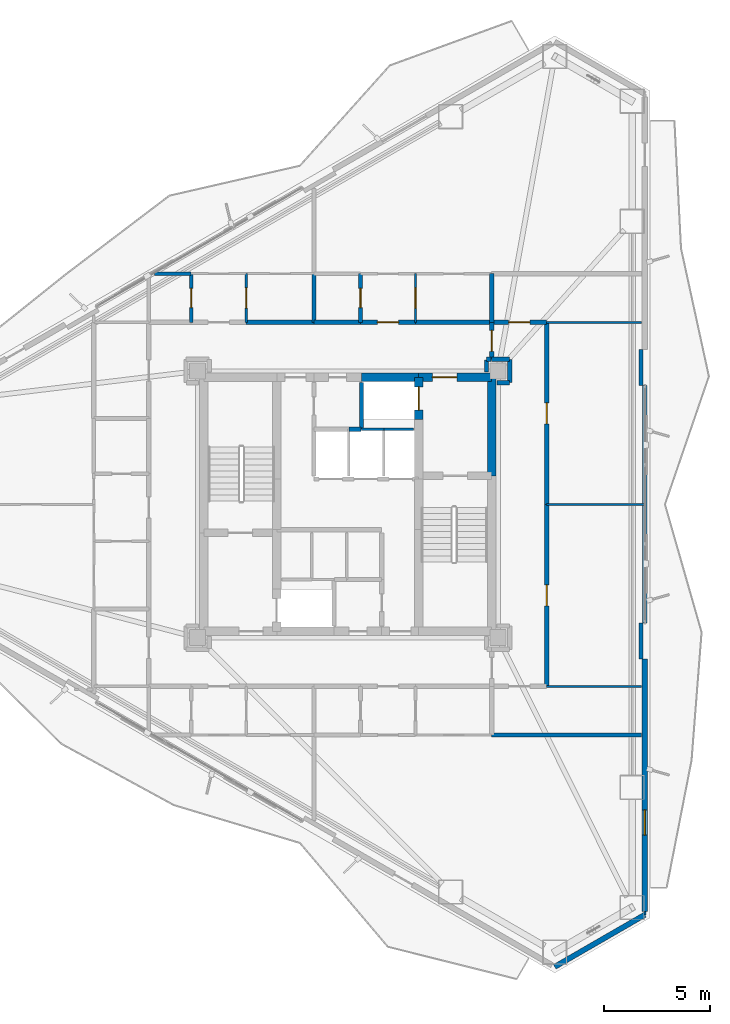
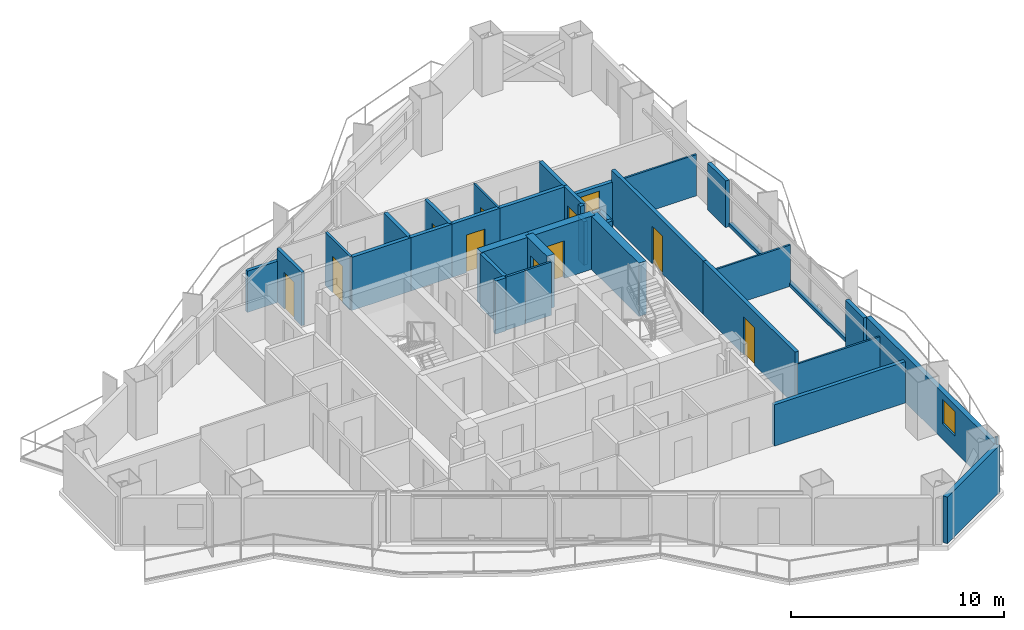
# One storey, part 19 of 23: 38 walls, 11 doors, 1 window, 12 openings.
"""IFC4 building model written with IfcOpenShell, lengths in metres."""

from ifc_helpers import new_model, si_unit, direction, frame, frame_2d, origin, place, context, subcontext, project, spatial, rectangle, extrude, material, layer, layer_set, type_object, element, fill, save


model = new_model("IFC4")

# Units and contexts
model_context = context("Model", 3, precision=1e-05, world=origin(), true_north=direction((0.0, 1.0)))
body_context = subcontext(model_context, "Body", "Model", "MODEL_VIEW")
ifc_project = project(units=[si_unit("LENGTHUNIT", "METRE"), si_unit("AREAUNIT", "SQUARE_METRE"), si_unit("VOLUMEUNIT", "CUBIC_METRE"), si_unit("PLANEANGLEUNIT", "RADIAN"), si_unit("MASSUNIT", "GRAM", prefix="KILO")], contexts=[model_context])

# Site, building, storey
site_placement = place(None, origin())
site = spatial("IfcSite", under=ifc_project, at=site_placement, CompositionType="ELEMENT")
building_placement = place(site_placement, origin())
building = spatial("IfcBuilding", under=site, at=building_placement, Name="Mersakhor Tower and Convention Hall", CompositionType="ELEMENT")
storey_placement = place(building_placement, frame((0.0, 0.0, 96.60009765625)))
storey = spatial("IfcBuildingStorey", under=building, at=storey_placement, Name="L26", CompositionType="ELEMENT", Elevation=96.60009765625)

# Wall
ifc_material_1 = material(Name="Precast concrete C40/50", Category="concrete")
ifc_layer_1 = layer(ifc_material_1, 0.25)
ifc_layer_set_1 = layer_set([ifc_layer_1], Name="Precast concrete C40/50")
wall_type_1 = type_object("IfcWallType", Name="WL-EXT-250", PredefinedType="SOLIDWALL", material=ifc_layer_set_1)
wall_1_placement = place(storey_placement, frame((43.03466796875, 7.355712890625, 0.0), z_axis=(0.0, 0.0, 1.0), x_axis=(-0.866011848704, -0.500023477353, 0.0)))
element("IfcWall", 1, at=wall_1_placement, inside=storey, type_object=wall_type_1, Name="L26 Chamfer Braced Spandrel Wall C2", PredefinedType="SOLIDWALL", context=body_context, shape_type="SweptSolid", body=[
    extrude(rectangle(XDim=4.914306640625, YDim=0.25, at=frame_2d((2.45703125, 0.0))), origin(), (0.0, 0.0, 1.0), 2.669921875),
])

# Wall, opening, window
wall_2_placement = place(storey_placement, frame((43.03466796875, 19.435302734375, 0.0), z_axis=(0.0, 0.0, 1.0), x_axis=(0.0, -1.0, 0.0)))
wall_2 = element("IfcWall", 2, at=wall_2_placement, inside=storey, type_object=wall_type_1, Name="L26 Exterior Facade Wall F2-B3", PredefinedType="SOLIDWALL", context=body_context, shape_type="SweptSolid", body=[
    extrude(rectangle(XDim=11.9296875, YDim=0.25, at=frame_2d((5.96484375, 0.0))), origin(), (0.0, 0.0, 1.0), 2.669921875),
])
opening_1_placement = place(wall_2_placement, frame((7.118896484375, 0.0, 0.89990234375)))
opening_1 = element("IfcOpeningElement", 3, at=opening_1_placement, cuts=wall_2, Name="Opening W-01", PredefinedType="OPENING", context=body_context, shape_type="SweptSolid", body=[
    extrude(rectangle(XDim=1.199951171875, YDim=1.39990234375, at=frame_2d((0.60009765625, 0.699951171875))), frame((0.0, 0.135009765625, 0.0), z_axis=(0.0, -1.0, 0.0), x_axis=(1.0, 0.0, 0.0)), (0.0, 0.0, 1.0), 0.27001953125),
])
ifc_material_2 = material(Name="Dark solar low-E glazed aluminium window", Category="aluminium")
window_type = type_object("IfcWindowType", Name="WN-RES-120x150", PartitioningType="SINGLE_PANEL", PredefinedType="WINDOW", material=ifc_material_2)
window_placement = place(opening_1_placement, origin())
window = element("IfcWindow", 4, at=window_placement, inside=storey, type_object=window_type, Name="L26 Bedroom Facade Window F2-B3-1", OverallHeight=1.39990234375, OverallWidth=1.199951171875, PartitioningType="SINGLE_PANEL", PredefinedType="WINDOW", context=body_context, shape_type="SweptSolid", body=[
    extrude(rectangle(XDim=1.199951171875, YDim=1.39990234375, at=frame_2d((0.60009765625, 0.699951171875))), frame((0.0, 0.030029296875, 0.0), z_axis=(0.0, -1.0, 0.0), x_axis=(1.0, 0.0, 0.0)), (0.0, 0.0, 1.0), 0.06005859375),
])
fill(opening_1, window)

# Walls
ifc_material_3 = material(Name="Precast concrete C40/50", Category="concrete")
ifc_layer_2 = layer(ifc_material_3, 0.199951171875)
ifc_layer_set_2 = layer_set([ifc_layer_2], Name="Precast concrete C40/50")
wall_type_2 = type_object("IfcWallType", Name="WL-PAR-200", PredefinedType="PARAPET", material=ifc_layer_set_2)
wall_3_placement = place(storey_placement, frame((43.03466796875, 32.36474609375, 0.0), z_axis=(0.0, 0.0, 1.0), x_axis=(0.0, -1.0, 0.0)))
element("IfcWall", 5, at=wall_3_placement, inside=storey, type_object=wall_type_2, Name="L26 Curtain Wall Upstand Sill F2-B2", PredefinedType="PARAPET", context=body_context, shape_type="SweptSolid", body=[
    extrude(rectangle(XDim=11.2294921875, YDim=0.199951171875, at=frame_2d((5.61474609375, 0.0))), origin(), (0.0, 0.0, 1.0), 0.199951171875),
])
for number, where, z_axis, x_axis, name in (
    (6, (42.8544921875, 34.064697265625, 0.0), (0.0, 0.0, 1.0), (0.0, -1.0, 0.0), "L26 Column Pier Cladding Wall F2-C1"),
    (7, (42.8544921875, 21.13525390625, 0.0), (0.0, 0.0, 1.0), (0.0, -1.0, 0.0), "L26 Column Pier Cladding Wall F2-C2"),
):
    element("IfcWall", number, at=place(storey_placement, frame(where, z_axis=z_axis, x_axis=x_axis)), inside=storey, type_object=wall_type_2, Name=name, PredefinedType="PARAPET", context=body_context, shape_type="SweptSolid", body=[
        extrude(rectangle(XDim=1.699951171875, YDim=0.199951171875, at=frame_2d((0.85009765625, 0.0))), origin(), (0.0, 0.0, 1.0), 2.669921875),
    ])

# Wall, opening, door
ifc_material_4 = material(Name="Moisture-resistant acoustic drywall studwork", Category="other")
ifc_layer_3 = layer(ifc_material_4, 0.175048828125)
ifc_layer_set_3 = layer_set([ifc_layer_3], Name="Moisture-resistant acoustic drywall studwork")
wall_type_3 = type_object("IfcWallType", Name="WL-PLM-175", PredefinedType="PLUMBINGWALL", material=ifc_layer_set_3)
wall_4_placement = place(storey_placement, frame((21.60009765625, 35.35009765625, 0.0), z_axis=(0.0, 0.0, 1.0), x_axis=(0.0, 1.0, 0.0)))
wall_4 = element("IfcWall", 8, at=wall_4_placement, inside=storey, type_object=wall_type_3, Name="L26 Interior Partition Wall P-062", PredefinedType="PLUMBINGWALL", context=body_context, shape_type="SweptSolid", body=[
    extrude(rectangle(XDim=2.2998046875, YDim=0.175048828125, at=frame_2d((1.14990234375, 0.0))), origin(), (0.0, 0.0, 1.0), 3.0498046875),
])
opening_2_placement = place(wall_4_placement, frame((0.699951171875, 0.0, 0.0)))
opening_2 = element("IfcOpeningElement", 9, at=opening_2_placement, cuts=wall_4, Name="Opening WD-01", PredefinedType="OPENING", context=body_context, shape_type="SweptSolid", body=[
    extrude(rectangle(XDim=0.89990234375, YDim=2.10009765625, at=frame_2d((0.449951171875, 1.050048828125))), frame((0.0, 0.097412109375, 0.0), z_axis=(0.0, -1.0, 0.0), x_axis=(1.0, 0.0, 0.0)), (0.0, 0.0, 1.0), 0.195068359375),
])
ifc_material_5 = material(Name="Solid-core hardwood leaf in painted steel frame", Category="steel")
door_type_1 = type_object("IfcDoorType", Name="DR-INT-WET-090x210", OperationType="NOTDEFINED", PredefinedType="DOOR", material=ifc_material_5)
door_1_placement = place(opening_2_placement, origin())
door_1 = element("IfcDoor", 10, at=door_1_placement, inside=storey, type_object=door_type_1, Name="L26 L26 Flat N1 Apartment Hall to L26 Flat N1 Bathroom Door", OperationType="SINGLE_SWING_RIGHT", OverallHeight=2.10009765625, OverallWidth=0.89990234375, PredefinedType="DOOR", context=body_context, shape_type="SweptSolid", body=[
    extrude(rectangle(XDim=0.89990234375, YDim=2.10009765625, at=frame_2d((0.449951171875, 1.050048828125))), frame((0.0, 0.02490234375, 0.0), z_axis=(0.0, -1.0, 0.0), x_axis=(1.0, 0.0, 0.0)), (0.0, 0.0, 1.0), 0.050048828125),
])
fill(opening_2, door_1)

wall_5_placement = place(storey_placement, frame((29.60009765625, 35.35009765625, 0.0), z_axis=(0.0, 0.0, 1.0), x_axis=(0.0, 1.0, 0.0)))
wall_5 = element("IfcWall", 11, at=wall_5_placement, inside=storey, type_object=wall_type_3, Name="L26 Interior Partition Wall P-065", PredefinedType="PLUMBINGWALL", context=body_context, shape_type="SweptSolid", body=[
    extrude(rectangle(XDim=2.2998046875, YDim=0.175048828125, at=frame_2d((1.14990234375, 0.0))), origin(), (0.0, 0.0, 1.0), 3.0498046875),
])
opening_3_placement = place(wall_5_placement, frame((0.699951171875, 0.0, 0.0)))
opening_3 = element("IfcOpeningElement", 12, at=opening_3_placement, cuts=wall_5, Name="Opening WD-01", PredefinedType="OPENING", context=body_context, shape_type="SweptSolid", body=[
    extrude(rectangle(XDim=0.89990234375, YDim=2.10009765625, at=frame_2d((0.449951171875, 1.050048828125))), frame((0.0, 0.097412109375, 0.0), z_axis=(0.0, -1.0, 0.0), x_axis=(1.0, 0.0, 0.0)), (0.0, 0.0, 1.0), 0.195068359375),
])
door_2_placement = place(opening_3_placement, origin())
door_2 = element("IfcDoor", 13, at=door_2_placement, inside=storey, type_object=door_type_1, Name="L26 L26 Flat N2 Apartment Hall to L26 Flat N2 Bathroom Door", OperationType="SINGLE_SWING_LEFT", OverallHeight=2.10009765625, OverallWidth=0.89990234375, PredefinedType="DOOR", context=body_context, shape_type="SweptSolid", body=[
    extrude(rectangle(XDim=0.89990234375, YDim=2.10009765625, at=frame_2d((0.449951171875, 1.050048828125))), frame((0.0, 0.02490234375, 0.0), z_axis=(0.0, -1.0, 0.0), x_axis=(1.0, 0.0, 0.0)), (0.0, 0.0, 1.0), 0.050048828125),
])
fill(opening_3, door_2)

# Walls
wall_6_placement = place(storey_placement, frame((19.87548828125, 37.64990234375, 0.0), z_axis=(0.0, 0.0, 1.0), x_axis=(1.0, 0.0, 0.0)))
element("IfcWall", 14, at=wall_6_placement, inside=storey, type_object=wall_type_3, Name="L26 Interior Partition Wall P-077", PredefinedType="PLUMBINGWALL", context=body_context, shape_type="SweptSolid", body=[
    extrude(rectangle(XDim=1.724609375, YDim=0.175048828125, at=frame_2d((0.8623046875, 0.0))), origin(), (0.0, 0.0, 1.0), 2.364990234375),
])
ifc_material_6 = material(Name="Lightweight gypsum partition", Category="other")
ifc_layer_4 = layer(ifc_material_6, 0.10009765625)
ifc_layer_set_4 = layer_set([ifc_layer_4], Name="Lightweight gypsum partition")
wall_type_4 = type_object("IfcWallType", Name="WL-PRT-100", PredefinedType="PARTITIONING", material=ifc_layer_set_4)
wall_7_placement = place(storey_placement, frame((32.10009765625, 30.300048828125, 0.0), z_axis=(0.0, 0.0, 1.0), x_axis=(-1.0, 0.0, 0.0)))
element("IfcWall", 15, at=wall_7_placement, inside=storey, type_object=wall_type_4, Name="L26 Interior Partition Wall P-004", PredefinedType="PARTITIONING", context=body_context, shape_type="SweptSolid", body=[
    extrude(rectangle(XDim=1.400146484375, YDim=0.10009765625, at=frame_2d((0.7001953125, 0.0))), origin(), (0.0, 0.0, 1.0), 3.0498046875),
])

# Wall, opening, door
wall_8_placement = place(storey_placement, frame((32.199951171875, 37.64990234375, 0.0), z_axis=(0.0, 0.0, 1.0), x_axis=(0.0, -1.0, 0.0)))
wall_8 = element("IfcWall", 16, at=wall_8_placement, inside=storey, type_object=wall_type_4, Name="L26 Interior Partition Wall P-064", PredefinedType="PARTITIONING", context=body_context, shape_type="SweptSolid", body=[
    extrude(rectangle(XDim=2.2998046875, YDim=0.10009765625, at=frame_2d((1.14990234375, 0.0))), origin(), (0.0, 0.0, 1.0), 3.0498046875),
])
opening_4_placement = place(wall_8_placement, frame((0.675048828125, 0.0, 0.0)))
opening_4 = element("IfcOpeningElement", 17, at=opening_4_placement, cuts=wall_8, Name="Opening RD-01", PredefinedType="OPENING", context=body_context, shape_type="SweptSolid", body=[
    extrude(rectangle(XDim=0.949951171875, YDim=2.10009765625, at=frame_2d((0.47509765625, 1.050048828125))), frame((0.0, 0.06005859375, 0.0), z_axis=(0.0, -1.0, 0.0), x_axis=(1.0, 0.0, 0.0)), (0.0, 0.0, 1.0), 0.1201171875),
])
ifc_material_7 = material(Name="Solid-core hardwood leaf in painted steel frame", Category="steel")
door_type_2 = type_object("IfcDoorType", Name="DR-INT-RM-095x210", OperationType="NOTDEFINED", PredefinedType="DOOR", material=ifc_material_7)
door_3_placement = place(opening_4_placement, origin())
door_3 = element("IfcDoor", 18, at=door_3_placement, inside=storey, type_object=door_type_2, Name="L26 L26 Flat N2 Apartment Hall to L26 Flat N2 Kitchen Door", OperationType="SINGLE_SWING_RIGHT", OverallHeight=2.10009765625, OverallWidth=0.949951171875, PredefinedType="DOOR", context=body_context, shape_type="SweptSolid", body=[
    extrude(rectangle(XDim=0.949951171875, YDim=2.10009765625, at=frame_2d((0.47509765625, 1.050048828125))), frame((0.0, 0.02490234375, 0.0), z_axis=(0.0, -1.0, 0.0), x_axis=(1.0, 0.0, 0.0)), (0.0, 0.0, 1.0), 0.050048828125),
])
fill(opening_4, door_3)

# Walls
for number, where, z_axis, x_axis, name in (
    (19, (42.885498046875, 35.35009765625, 0.0), (0.0, 0.0, 1.0), (-1.0, 0.0, 0.0), "L26 Interior Partition Wall P-094"),
    (20, (38.39990234375, 18.14990234375, 0.0), (0.0, 0.0, 1.0), (1.0, 0.0, 0.0), "L26 Interior Partition Wall P-096"),
):
    element("IfcWall", number, at=place(storey_placement, frame(where, z_axis=z_axis, x_axis=x_axis)), inside=storey, type_object=wall_type_4, Name=name, PredefinedType="PARTITIONING", context=body_context, shape_type="SweptSolid", body=[
        extrude(rectangle(XDim=4.485595703125, YDim=0.10009765625, at=frame_2d((2.24267578125, 0.0))), origin(), (0.0, 0.0, 1.0), 2.364990234375),
    ])
wall_9_placement = place(storey_placement, frame((42.99853515625, 26.75, 0.0), z_axis=(0.0, 0.0, 1.0), x_axis=(-1.0, 0.0, 0.0)))
element("IfcWall", 21, at=wall_9_placement, inside=storey, type_object=wall_type_4, Name="L26 Interior Partition Wall P-102", PredefinedType="PARTITIONING", context=body_context, shape_type="SweptSolid", body=[
    extrude(rectangle(XDim=4.5986328125, YDim=0.10009765625, at=frame_2d((2.29931640625, 0.0))), origin(), (0.0, 0.0, 1.0), 2.364990234375),
])
wall_10_placement = place(storey_placement, frame((43.034912109375, 7.505615234375, 0.0), z_axis=(0.0, 0.0, 1.0), x_axis=(0.0, -1.0, 0.0)))
element("IfcWall", 22, at=wall_10_placement, inside=storey, type_object=wall_type_4, Name="L26 Interior Partition Wall P-106", PredefinedType="PARTITIONING", context=body_context, shape_type="SweptSolid", body=[
    extrude(rectangle(XDim=0.149658203125, YDim=0.10009765625, at=frame_2d((0.07470703125, 0.0))), origin(), (0.0, 0.0, 1.0), 3.0498046875),
])
ifc_material_8 = material(Name="Gypsum board acoustic partition", Category="other")
ifc_layer_5 = layer(ifc_material_8, 0.125)
ifc_layer_set_5 = layer_set([ifc_layer_5], Name="Gypsum board acoustic partition")
wall_type_5 = type_object("IfcWallType", Name="WL-PRT-125", PredefinedType="PARTITIONING", material=ifc_layer_set_5)
wall_11_placement = place(storey_placement, frame((30.699951171875, 30.300048828125, 0.0), z_axis=(0.0, 0.0, 1.0), x_axis=(-1.0, 0.0, 0.0)))
element("IfcWall", 23, at=wall_11_placement, inside=storey, type_object=wall_type_5, Name="L26 Interior Partition Wall P-005", PredefinedType="PARTITIONING", context=body_context, shape_type="SweptSolid", body=[
    extrude(rectangle(XDim=1.050048828125, YDim=0.125, at=frame_2d((0.52490234375, 0.0))), origin(), (0.0, 0.0, 1.0), 3.0498046875),
])

# Wall, opening, door
wall_12_placement = place(storey_placement, frame((24.199951171875, 37.64990234375, 0.0), z_axis=(0.0, 0.0, 1.0), x_axis=(0.0, -1.0, 0.0)))
wall_12 = element("IfcWall", 24, at=wall_12_placement, inside=storey, type_object=wall_type_5, Name="L26 Interior Partition Wall P-061", PredefinedType="PARTITIONING", context=body_context, shape_type="SweptSolid", body=[
    extrude(rectangle(XDim=2.2998046875, YDim=0.125, at=frame_2d((1.14990234375, 0.0))), origin(), (0.0, 0.0, 1.0), 3.0498046875),
])
opening_5_placement = place(wall_12_placement, frame((0.675048828125, 0.0, 0.0)))
opening_5 = element("IfcOpeningElement", 25, at=opening_5_placement, cuts=wall_12, Name="Opening RD-01", PredefinedType="OPENING", context=body_context, shape_type="SweptSolid", body=[
    extrude(rectangle(XDim=0.949951171875, YDim=2.10009765625, at=frame_2d((0.47509765625, 1.050048828125))), frame((0.0, 0.072509765625, 0.0), z_axis=(0.0, -1.0, 0.0), x_axis=(1.0, 0.0, 0.0)), (0.0, 0.0, 1.0), 0.14501953125),
])
door_4_placement = place(opening_5_placement, origin())
door_4 = element("IfcDoor", 26, at=door_4_placement, inside=storey, type_object=door_type_2, Name="L26 L26 Flat N1 Apartment Hall to L26 Flat N1 Kitchen Door", OperationType="SINGLE_SWING_LEFT", OverallHeight=2.10009765625, OverallWidth=0.949951171875, PredefinedType="DOOR", context=body_context, shape_type="SweptSolid", body=[
    extrude(rectangle(XDim=0.949951171875, YDim=2.10009765625, at=frame_2d((0.47509765625, 1.050048828125))), frame((0.0, 0.02490234375, 0.0), z_axis=(0.0, -1.0, 0.0), x_axis=(1.0, 0.0, 0.0)), (0.0, 0.0, 1.0), 0.050048828125),
])
fill(opening_5, door_4)

# Walls
ifc_material_9 = material(Name="Acoustic concrete blockwork and gypsum board", Category="masonry")
ifc_layer_6 = layer(ifc_material_9, 0.199951171875)
ifc_layer_set_6 = layer_set([ifc_layer_6], Name="Acoustic concrete blockwork and gypsum board")
wall_type_6 = type_object("IfcWallType", Name="WL-PRT-200", PredefinedType="PARTITIONING", material=ifc_layer_set_6)
wall_13_placement = place(storey_placement, frame((29.64990234375, 30.300048828125, 0.0), z_axis=(0.0, 0.0, 1.0), x_axis=(0.0, 1.0, 0.0)))
element("IfcWall", 27, at=wall_13_placement, inside=storey, type_object=wall_type_6, Name="L26 Interior Partition Wall P-006", PredefinedType="PARTITIONING", context=body_context, shape_type="SweptSolid", body=[
    extrude(rectangle(XDim=2.199951171875, YDim=0.199951171875, at=frame_2d((1.10009765625, 0.0))), origin(), (0.0, 0.0, 1.0), 3.0498046875),
])
wall_14_placement = place(storey_placement, frame((29.050048828125, 30.300048828125, 0.0), z_axis=(0.0, 0.0, 1.0), x_axis=(1.0, 0.0, 0.0)))
element("IfcWall", 28, at=wall_14_placement, inside=storey, type_object=wall_type_6, Name="L26 Interior Partition Wall P-015", PredefinedType="PARTITIONING", context=body_context, shape_type="SweptSolid", body=[
    extrude(rectangle(XDim=0.570068359375, YDim=0.199951171875, at=frame_2d((0.28515625, 0.0))), origin(), (0.0, 0.0, 1.0), 3.0498046875),
])
wall_15_placement = place(storey_placement, frame((24.199951171875, 35.35009765625, 0.0), z_axis=(0.0, 0.0, 1.0), x_axis=(1.0, 0.0, 0.0)))
element("IfcWall", 29, at=wall_15_placement, inside=storey, type_object=wall_type_6, Name="L26 Interior Partition Wall P-037", PredefinedType="PARTITIONING", context=body_context, shape_type="SweptSolid", body=[
    extrude(rectangle(XDim=3.199951171875, YDim=0.199951171875, at=frame_2d((1.60009765625, 0.0))), origin(), (0.0, 0.0, 1.0), 3.0498046875),
])
wall_16_placement = place(storey_placement, frame((27.39990234375, 35.35009765625, 0.0), z_axis=(0.0, 0.0, 1.0), x_axis=(1.0, 0.0, 0.0)))
element("IfcWall", 30, at=wall_16_placement, inside=storey, type_object=wall_type_6, Name="L26 Interior Partition Wall P-038", PredefinedType="PARTITIONING", context=body_context, shape_type="SweptSolid", body=[
    extrude(rectangle(XDim=2.2001953125, YDim=0.199951171875, at=frame_2d((1.10009765625, 0.0))), origin(), (0.0, 0.0, 1.0), 3.0498046875),
])

# Wall, opening, door
wall_17_placement = place(storey_placement, frame((29.60009765625, 35.35009765625, 0.0), z_axis=(0.0, 0.0, 1.0), x_axis=(1.0, 0.0, 0.0)))
wall_17 = element("IfcWall", 31, at=wall_17_placement, inside=storey, type_object=wall_type_6, Name="L26 Interior Partition Wall P-039", PredefinedType="PARTITIONING", context=body_context, shape_type="SweptSolid", body=[
    extrude(rectangle(XDim=2.599853515625, YDim=0.199951171875, at=frame_2d((1.2998046875, 0.0))), origin(), (0.0, 0.0, 1.0), 3.0498046875),
])
opening_6_placement = place(wall_17_placement, frame((0.800048828125, 0.0, 0.0)))
opening_6 = element("IfcOpeningElement", 32, at=opening_6_placement, cuts=wall_17, Name="Opening FD-01", PredefinedType="OPENING", context=body_context, shape_type="SweptSolid", body=[
    extrude(rectangle(XDim=1.0, YDim=2.14990234375, at=frame_2d((0.5, 1.074951171875))), frame((0.0, 0.10986328125, 0.0), z_axis=(0.0, -1.0, 0.0), x_axis=(1.0, 0.0, 0.0)), (0.0, 0.0, 1.0), 0.219970703125),
])
ifc_material_10 = material(Name="Fire-rated hardwood leaf and painted steel frame", Category="steel")
door_type_3 = type_object("IfcDoorType", Name="DR-INT-FLT-100x215", OperationType="NOTDEFINED", PredefinedType="DOOR", material=ifc_material_10)
door_5_placement = place(opening_6_placement, origin())
door_5 = element("IfcDoor", 33, at=door_5_placement, inside=storey, type_object=door_type_3, Name="L26 Apartment Entrance Door (Residential Ring Corridor to L26 Flat N2 Apartment Hall)", OperationType="SINGLE_SWING_RIGHT", OverallHeight=2.14990234375, OverallWidth=1.0, PredefinedType="DOOR", context=body_context, shape_type="SweptSolid", body=[
    extrude(rectangle(XDim=1.0, YDim=2.14990234375, at=frame_2d((0.5, 1.074951171875))), frame((0.0, 0.02490234375, 0.0), z_axis=(0.0, -1.0, 0.0), x_axis=(1.0, 0.0, 0.0)), (0.0, 0.0, 1.0), 0.050048828125),
])
fill(opening_6, door_5)

# Wall
wall_18_placement = place(storey_placement, frame((32.199951171875, 35.35009765625, 0.0), z_axis=(0.0, 0.0, 1.0), x_axis=(1.0, 0.0, 0.0)))
element("IfcWall", 34, at=wall_18_placement, inside=storey, type_object=wall_type_6, Name="L26 Interior Partition Wall P-040", PredefinedType="PARTITIONING", context=body_context, shape_type="SweptSolid", body=[
    extrude(rectangle(XDim=3.60009765625, YDim=0.199951171875, at=frame_2d((1.800048828125, 0.0))), origin(), (0.0, 0.0, 1.0), 3.0498046875),
])

# Wall, opening, door
wall_19_placement = place(storey_placement, frame((35.800048828125, 35.35009765625, 0.0), z_axis=(0.0, 0.0, 1.0), x_axis=(0.0, -1.0, 0.0)))
wall_19 = element("IfcWall", 35, at=wall_19_placement, inside=storey, type_object=wall_type_6, Name="L26 Interior Partition Wall P-041", PredefinedType="PARTITIONING", context=body_context, shape_type="SweptSolid", body=[
    extrude(rectangle(XDim=1.75, YDim=0.199951171875, at=frame_2d((0.875, 0.0))), origin(), (0.0, 0.0, 1.0), 3.0498046875),
])
opening_7_placement = place(wall_19_placement, frame((0.375, 0.0, 0.0)))
opening_7 = element("IfcOpeningElement", 36, at=opening_7_placement, cuts=wall_19, Name="Opening FD-01", PredefinedType="OPENING", context=body_context, shape_type="SweptSolid", body=[
    extrude(rectangle(XDim=1.0, YDim=2.14990234375, at=frame_2d((0.5, 1.074951171875))), frame((0.0, 0.10986328125, 0.0), z_axis=(0.0, -1.0, 0.0), x_axis=(1.0, 0.0, 0.0)), (0.0, 0.0, 1.0), 0.219970703125),
])
door_6_placement = place(opening_7_placement, origin())
door_6 = element("IfcDoor", 37, at=door_6_placement, inside=storey, type_object=door_type_3, Name="L26 Ring Corridor Fire Door", OperationType="SINGLE_SWING_RIGHT", OverallHeight=2.14990234375, OverallWidth=1.0, PredefinedType="DOOR", context=body_context, shape_type="SweptSolid", body=[
    extrude(rectangle(XDim=1.0, YDim=2.14990234375, at=frame_2d((0.5, 1.074951171875))), frame((0.0, 0.02490234375, 0.0), z_axis=(0.0, -1.0, 0.0), x_axis=(1.0, 0.0, 0.0)), (0.0, 0.0, 1.0), 0.050048828125),
])
fill(opening_7, door_6)

# Walls
wall_20_placement = place(storey_placement, frame((35.77001953125, 33.60009765625, 0.0), z_axis=(0.0, 0.0, 1.0), x_axis=(-1.0, 0.0, 0.0)))
element("IfcWall", 38, at=wall_20_placement, inside=storey, type_object=wall_type_6, Name="L26 Interior Partition Wall P-042", PredefinedType="PARTITIONING", context=body_context, shape_type="SweptSolid", body=[
    extrude(rectangle(XDim=0.219970703125, YDim=0.199951171875, at=frame_2d((0.10986328125, 0.0))), origin(), (0.0, 0.0, 1.0), 3.0498046875),
])
wall_21_placement = place(storey_placement, frame((35.550048828125, 33.570068359375, 0.0), z_axis=(0.0, 0.0, 1.0), x_axis=(0.0, -1.0, 0.0)))
element("IfcWall", 39, at=wall_21_placement, inside=storey, type_object=wall_type_6, Name="L26 Interior Partition Wall P-043", PredefinedType="PARTITIONING", context=body_context, shape_type="SweptSolid", body=[
    extrude(rectangle(XDim=0.570068359375, YDim=0.199951171875, at=frame_2d((0.28515625, 0.0))), origin(), (0.0, 0.0, 1.0), 2.498291015625),
])
wall_22_placement = place(storey_placement, frame((36.050048828125, 32.5, 0.0), z_axis=(0.0, 0.0, 1.0), x_axis=(1.0, 0.0, 0.0)))
element("IfcWall", 40, at=wall_22_placement, inside=storey, type_object=wall_type_6, Name="L26 Interior Partition Wall P-051", PredefinedType="PARTITIONING", context=body_context, shape_type="SweptSolid", body=[
    extrude(rectangle(XDim=0.599853515625, YDim=0.199951171875, at=frame_2d((0.2998046875, 0.0))), origin(), (0.0, 0.0, 1.0), 2.498291015625),
])
wall_23_placement = place(storey_placement, frame((36.64990234375, 32.5, 0.0), z_axis=(0.0, 0.0, 1.0), x_axis=(0.0, 1.0, 0.0)))
element("IfcWall", 41, at=wall_23_placement, inside=storey, type_object=wall_type_6, Name="L26 Interior Partition Wall P-052", PredefinedType="PARTITIONING", context=body_context, shape_type="SweptSolid", body=[
    extrude(rectangle(XDim=1.10009765625, YDim=0.199951171875, at=frame_2d((0.550048828125, 0.0))), origin(), (0.0, 0.0, 1.0), 2.422607421875),
])
wall_24_placement = place(storey_placement, frame((36.64990234375, 33.60009765625, 0.0), z_axis=(0.0, 0.0, 1.0), x_axis=(-1.0, 0.0, 0.0)))
element("IfcWall", 42, at=wall_24_placement, inside=storey, type_object=wall_type_6, Name="L26 Interior Partition Wall P-053", PredefinedType="PARTITIONING", context=body_context, shape_type="SweptSolid", body=[
    extrude(rectangle(XDim=0.849853515625, YDim=0.199951171875, at=frame_2d((0.4248046875, 0.0))), origin(), (0.0, 0.0, 1.0), 2.422607421875),
])

# Wall, opening, door
wall_25_placement = place(storey_placement, frame((35.800048828125, 35.35009765625, 0.0), z_axis=(0.0, 0.0, 1.0), x_axis=(1.0, 0.0, 0.0)))
wall_25 = element("IfcWall", 43, at=wall_25_placement, inside=storey, type_object=wall_type_6, Name="L26 Interior Partition Wall P-054", PredefinedType="PARTITIONING", context=body_context, shape_type="SweptSolid", body=[
    extrude(rectangle(XDim=2.599853515625, YDim=0.199951171875, at=frame_2d((1.2998046875, 0.0))), origin(), (0.0, 0.0, 1.0), 2.422607421875),
])
opening_8_placement = place(wall_25_placement, frame((0.800048828125, 0.0, 0.0)))
opening_8 = element("IfcOpeningElement", 44, at=opening_8_placement, cuts=wall_25, Name="Opening FD-01", PredefinedType="OPENING", context=body_context, shape_type="SweptSolid", body=[
    extrude(rectangle(XDim=1.0, YDim=2.14990234375, at=frame_2d((0.5, 1.074951171875))), frame((0.0, 0.10986328125, 0.0), z_axis=(0.0, -1.0, 0.0), x_axis=(1.0, 0.0, 0.0)), (0.0, 0.0, 1.0), 0.219970703125),
])
door_7_placement = place(opening_8_placement, origin())
door_7 = element("IfcDoor", 45, at=door_7_placement, inside=storey, type_object=door_type_3, Name="L26 Residential Ring East Corridor to L26 North-East Shared Pantry Door", OperationType="SINGLE_SWING_RIGHT", OverallHeight=2.14990234375, OverallWidth=1.0, PredefinedType="DOOR", context=body_context, shape_type="SweptSolid", body=[
    extrude(rectangle(XDim=1.0, YDim=2.14990234375, at=frame_2d((0.5, 1.074951171875))), frame((0.0, 0.02490234375, 0.0), z_axis=(0.0, -1.0, 0.0), x_axis=(1.0, 0.0, 0.0)), (0.0, 0.0, 1.0), 0.050048828125),
])
fill(opening_8, door_7)

wall_26_placement = place(storey_placement, frame((38.39990234375, 35.35009765625, 0.0), z_axis=(0.0, 0.0, 1.0), x_axis=(0.0, -1.0, 0.0)))
wall_26 = element("IfcWall", 46, at=wall_26_placement, inside=storey, type_object=wall_type_6, Name="L26 Interior Partition Wall P-055", PredefinedType="PARTITIONING", context=body_context, shape_type="SweptSolid", body=[
    extrude(rectangle(XDim=8.60009765625, YDim=0.199951171875, at=frame_2d((4.300048828125, 0.0))), origin(), (0.0, 0.0, 1.0), 3.0498046875),
])
opening_9_placement = place(wall_26_placement, frame((3.800048828125, 0.0, 0.0)))
opening_9 = element("IfcOpeningElement", 47, at=opening_9_placement, cuts=wall_26, Name="Opening FD-01", PredefinedType="OPENING", context=body_context, shape_type="SweptSolid", body=[
    extrude(rectangle(XDim=1.0, YDim=2.14990234375, at=frame_2d((0.5, 1.074951171875))), frame((0.0, 0.10986328125, 0.0), z_axis=(0.0, -1.0, 0.0), x_axis=(1.0, 0.0, 0.0)), (0.0, 0.0, 1.0), 0.219970703125),
])
door_8_placement = place(opening_9_placement, origin())
door_8 = element("IfcDoor", 48, at=door_8_placement, inside=storey, type_object=door_type_3, Name="L26 Residential Ring East Corridor to L26 East Wing Craft Teaching Workshop Door", OperationType="SINGLE_SWING_RIGHT", OverallHeight=2.14990234375, OverallWidth=1.0, PredefinedType="DOOR", context=body_context, shape_type="SweptSolid", body=[
    extrude(rectangle(XDim=1.0, YDim=2.14990234375, at=frame_2d((0.5, 1.074951171875))), frame((0.0, 0.02490234375, 0.0), z_axis=(0.0, -1.0, 0.0), x_axis=(1.0, 0.0, 0.0)), (0.0, 0.0, 1.0), 0.050048828125),
])
fill(opening_9, door_8)

wall_27_placement = place(storey_placement, frame((38.39990234375, 26.75, 0.0), z_axis=(0.0, 0.0, 1.0), x_axis=(0.0, -1.0, 0.0)))
wall_27 = element("IfcWall", 49, at=wall_27_placement, inside=storey, type_object=wall_type_6, Name="L26 Interior Partition Wall P-056", PredefinedType="PARTITIONING", context=body_context, shape_type="SweptSolid", body=[
    extrude(rectangle(XDim=8.60009765625, YDim=0.199951171875, at=frame_2d((4.300048828125, 0.0))), origin(), (0.0, 0.0, 1.0), 3.0498046875),
])
opening_10_placement = place(wall_27_placement, frame((3.800048828125, 0.0, 0.0)))
opening_10 = element("IfcOpeningElement", 50, at=opening_10_placement, cuts=wall_27, Name="Opening FD-01", PredefinedType="OPENING", context=body_context, shape_type="SweptSolid", body=[
    extrude(rectangle(XDim=1.0, YDim=2.14990234375, at=frame_2d((0.5, 1.074951171875))), frame((0.0, 0.10986328125, 0.0), z_axis=(0.0, -1.0, 0.0), x_axis=(1.0, 0.0, 0.0)), (0.0, 0.0, 1.0), 0.219970703125),
])
door_9_placement = place(opening_10_placement, origin())
door_9 = element("IfcDoor", 51, at=door_9_placement, inside=storey, type_object=door_type_3, Name="L26 Residential Ring East Corridor to L26 East Wing Co-Working Office Door", OperationType="SINGLE_SWING_LEFT", OverallHeight=2.14990234375, OverallWidth=1.0, PredefinedType="DOOR", context=body_context, shape_type="SweptSolid", body=[
    extrude(rectangle(XDim=1.0, YDim=2.14990234375, at=frame_2d((0.5, 1.074951171875))), frame((0.0, 0.02490234375, 0.0), z_axis=(0.0, -1.0, 0.0), x_axis=(1.0, 0.0, 0.0)), (0.0, 0.0, 1.0), 0.050048828125),
])
fill(opening_10, door_9)

# Walls
for number, where, z_axis, x_axis, name in (
    (52, (27.39990234375, 37.64990234375, 0.0), (0.0, 0.0, 1.0), (0.0, -1.0, 0.0), "L26 Interior Partition Wall P-079"),
    (53, (35.800048828125, 37.64990234375, 0.0), (0.0, 0.0, 1.0), (0.0, -1.0, 0.0), "L26 Interior Partition Wall P-082"),
):
    element("IfcWall", number, at=place(storey_placement, frame(where, z_axis=z_axis, x_axis=x_axis)), inside=storey, type_object=wall_type_6, Name=name, PredefinedType="PARTITIONING", context=body_context, shape_type="SweptSolid", body=[
        extrude(rectangle(XDim=2.2998046875, YDim=0.199951171875, at=frame_2d((1.14990234375, 0.0))), origin(), (0.0, 0.0, 1.0), 3.0498046875),
    ])
wall_28_placement = place(storey_placement, frame((42.885498046875, 15.85009765625, 0.0), z_axis=(0.0, 0.0, 1.0), x_axis=(-1.0, 0.0, 0.0)))
element("IfcWall", 54, at=wall_28_placement, inside=storey, type_object=wall_type_6, Name="L26 Interior Partition Wall P-097", PredefinedType="PARTITIONING", context=body_context, shape_type="SweptSolid", body=[
    extrude(rectangle(XDim=7.08544921875, YDim=0.199951171875, at=frame_2d((3.542724609375, 0.0))), origin(), (0.0, 0.0, 1.0), 2.364990234375),
])
ifc_material_11 = material(Name="Concrete C60/75", Category="concrete")
ifc_layer_7 = layer(ifc_material_11, 0.39990234375)
ifc_layer_set_7 = layer_set([ifc_layer_7], Name="Concrete C60/75")
wall_type_7 = type_object("IfcWallType", Name="WL-SHR-400", PredefinedType="SHEAR", material=ifc_layer_set_7)
wall_29_placement = place(storey_placement, frame((29.64990234375, 32.75, 0.0), z_axis=(0.0, 0.0, 1.0), x_axis=(1.0, 0.0, 0.0)))
element("IfcWall", 55, at=wall_29_placement, inside=storey, type_object=wall_type_7, Name="L26 Core Wall CW-N3", PredefinedType="SHEAR", context=body_context, shape_type="SweptSolid", body=[
    extrude(rectangle(XDim=2.7001953125, YDim=0.39990234375, at=frame_2d((1.35009765625, 0.0))), origin(), (0.0, 0.0, 1.0), 3.0498046875),
])

# Wall, opening, door
wall_30_placement = place(storey_placement, frame((32.35009765625, 32.75, 0.0), z_axis=(0.0, 0.0, 1.0), x_axis=(1.0, 0.0, 0.0)))
wall_30 = element("IfcWall", 56, at=wall_30_placement, inside=storey, type_object=wall_type_7, Name="L26 Core Wall CW-N4", PredefinedType="SHEAR", context=body_context, shape_type="SweptSolid", body=[
    extrude(rectangle(XDim=3.449951171875, YDim=0.39990234375, at=frame_2d((1.72509765625, 0.0))), origin(), (0.0, 0.0, 1.0), 3.0498046875),
])
opening_11_placement = place(wall_30_placement, frame((0.64990234375, 0.0, 0.0)))
opening_11 = element("IfcOpeningElement", 57, at=opening_11_placement, cuts=wall_30, Name="Opening SD-01", PredefinedType="OPENING", context=body_context, shape_type="SweptSolid", body=[
    extrude(rectangle(XDim=1.14990234375, YDim=2.14990234375, at=frame_2d((0.574951171875, 1.074951171875))), frame((0.0, 0.2099609375, 0.0), z_axis=(0.0, -1.0, 0.0), x_axis=(1.0, 0.0, 0.0)), (0.0, 0.0, 1.0), 0.419921875),
])
ifc_material_12 = material(Name="Fire-rated hardwood leaf and painted steel frame", Category="steel")
door_type_4 = type_object("IfcDoorType", Name="DR-INT-STAIR-115x215", OperationType="NOTDEFINED", PredefinedType="DOOR", material=ifc_material_12)
door_10_placement = place(opening_11_placement, origin())
door_10 = element("IfcDoor", 58, at=door_10_placement, inside=storey, type_object=door_type_4, Name="L26 Firefighting Lobby East Fire Door", OperationType="SINGLE_SWING_RIGHT", OverallHeight=2.14990234375, OverallWidth=1.14990234375, PredefinedType="DOOR", context=body_context, shape_type="SweptSolid", body=[
    extrude(rectangle(XDim=1.14990234375, YDim=2.14990234375, at=frame_2d((0.574951171875, 1.074951171875))), frame((0.0, 0.02490234375, 0.0), z_axis=(0.0, -1.0, 0.0), x_axis=(1.0, 0.0, 0.0)), (0.0, 0.0, 1.0), 0.050048828125),
])
fill(opening_11, door_10)

# Wall
wall_31_placement = place(storey_placement, frame((35.800048828125, 32.75, 0.0), z_axis=(0.0, 0.0, 1.0), x_axis=(0.0, -1.0, 0.0)))
element("IfcWall", 59, at=wall_31_placement, inside=storey, type_object=wall_type_7, Name="L26 Core Wall CW-E1", PredefinedType="SHEAR", context=body_context, shape_type="SweptSolid", body=[
    extrude(rectangle(XDim=4.64990234375, YDim=0.39990234375, at=frame_2d((2.324951171875, 0.0))), origin(), (0.0, 0.0, 1.0), 3.0498046875),
])

# Wall, opening, door
wall_32_placement = place(storey_placement, frame((32.35009765625, 30.75, 0.0), z_axis=(0.0, 0.0, 1.0), x_axis=(0.0, 1.0, 0.0)))
wall_32 = element("IfcWall", 60, at=wall_32_placement, inside=storey, type_object=wall_type_7, Name="L26 Core Wall CS-E-FFL", PredefinedType="SHEAR", context=body_context, shape_type="SweptSolid", body=[
    extrude(rectangle(XDim=2.0, YDim=0.39990234375, at=frame_2d((1.0, 0.0))), origin(), (0.0, 0.0, 1.0), 3.0498046875),
])
opening_12_placement = place(wall_32_placement, frame((0.449951171875, 0.0, 0.0)))
opening_12 = element("IfcOpeningElement", 61, at=opening_12_placement, cuts=wall_32, Name="Opening LD-FFL2", PredefinedType="OPENING", context=body_context, shape_type="SweptSolid", body=[
    extrude(rectangle(XDim=1.10009765625, YDim=2.14990234375, at=frame_2d((0.550048828125, 1.074951171875))), frame((0.0, 0.2099609375, 0.0), z_axis=(0.0, -1.0, 0.0), x_axis=(1.0, 0.0, 0.0)), (0.0, 0.0, 1.0), 0.419921875),
])
ifc_material_13 = material(Name="Fire-rated brushed stainless steel sliding landing door", Category="steel")
door_type_5 = type_object("IfcDoorType", Name="DR-LIFT-SLD-110x215", OperationType="NOTDEFINED", PredefinedType="DOOR", material=ifc_material_13)
door_11_placement = place(opening_12_placement, origin())
door_11 = element("IfcDoor", 62, at=door_11_placement, inside=storey, type_object=door_type_5, Name="L26 Firefighting Lift Landing Door LD-FFL2", OperationType="SLIDING_TO_LEFT", OverallHeight=2.14990234375, OverallWidth=1.10009765625, PredefinedType="DOOR", context=body_context, shape_type="SweptSolid", body=[
    extrude(rectangle(XDim=1.10009765625, YDim=2.14990234375, at=frame_2d((0.550048828125, 1.074951171875))), frame((0.0, 0.02490234375, 0.0), z_axis=(0.0, -1.0, 0.0), x_axis=(1.0, 0.0, 0.0)), (0.0, 0.0, 1.0), 0.050048828125),
])
fill(opening_12, door_11)

save(model, "model.ifc")
